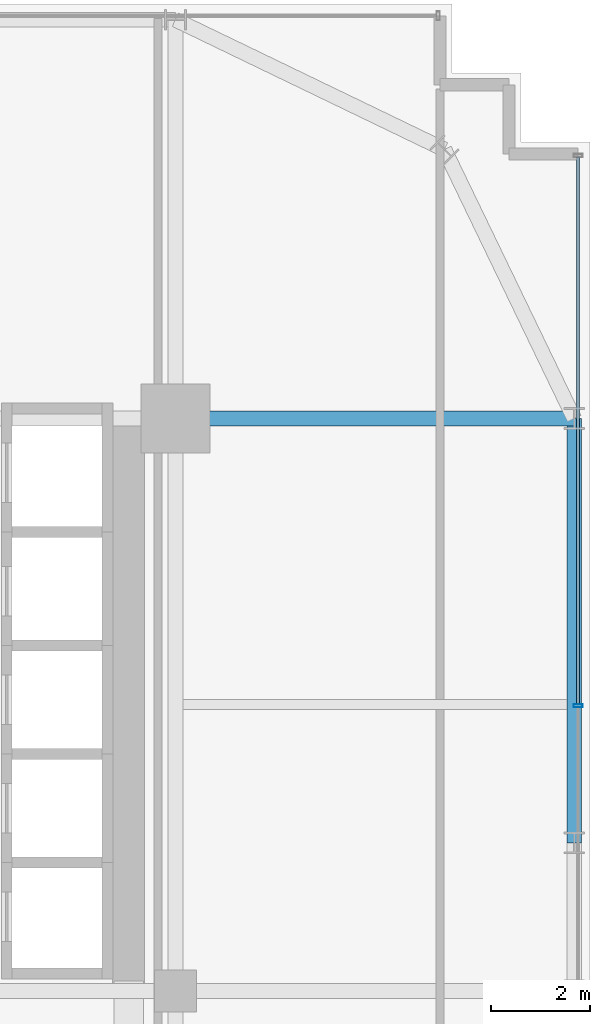
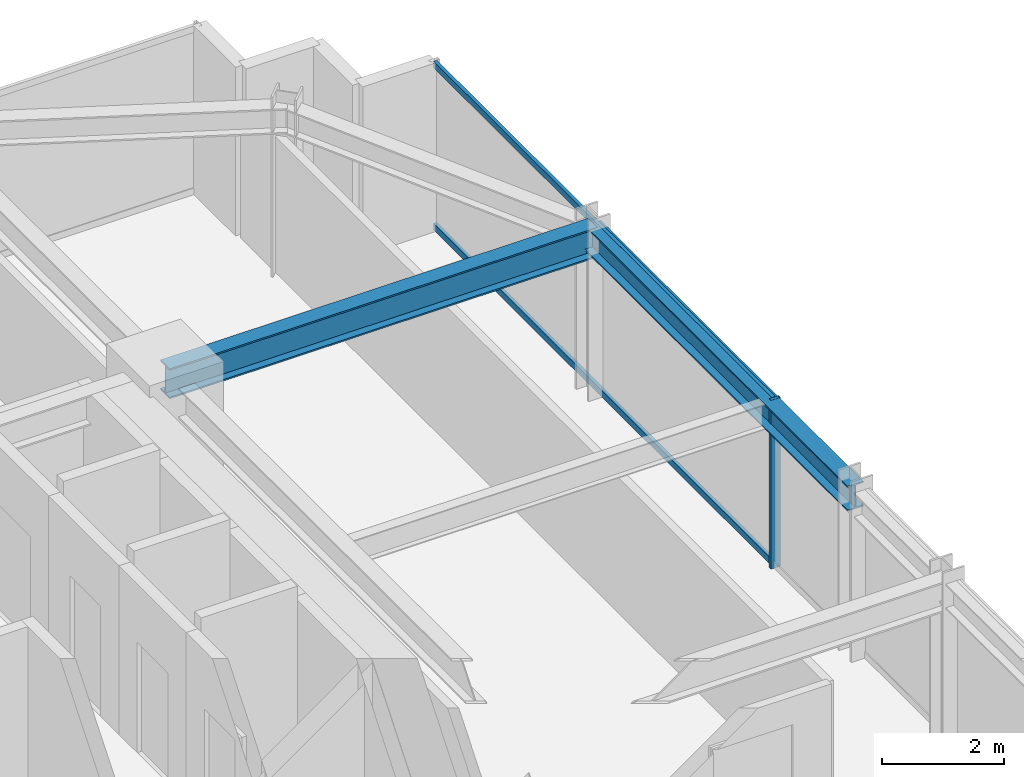
# One storey, part 26 of 37: 3 members, 2 beams, 1 element without a shape of its own.
"""IFC4 building model written with IfcOpenShell, lengths in metres."""

from ifc_helpers import new_model, si_unit, direction, frame, origin, origin_2d, place, context, subcontext, project, spatial, hollow_rectangle, i_section, extrude, source, transform, mapped, material, material_profile, profile_set, type_object, element, aggregate, save


model = new_model("IFC4")

# Units and contexts
model_context = context("Model", 3, precision=1e-05, world=origin(), true_north=direction((0.0, 1.0)))
body_context = subcontext(model_context, "Body", "Model", "MODEL_VIEW")
ifc_project = project(units=[si_unit("LENGTHUNIT", "METRE"), si_unit("AREAUNIT", "SQUARE_METRE"), si_unit("VOLUMEUNIT", "CUBIC_METRE"), si_unit("PLANEANGLEUNIT", "RADIAN"), si_unit("MASSUNIT", "GRAM", prefix="KILO")], contexts=[model_context])

# Site, building, storey
site_placement = place(None, origin())
site = spatial("IfcSite", under=ifc_project, at=site_placement, CompositionType="ELEMENT")
building_placement = place(site_placement, origin())
building = spatial("IfcBuilding", under=site, at=building_placement, Name="Nahalor Promenade Grand Hotel", CompositionType="ELEMENT")
storey_placement = place(building_placement, frame((0.0, 0.0, 36.050048828125)))
storey = spatial("IfcBuildingStorey", under=building, at=storey_placement, Name="L07", CompositionType="ELEMENT", Elevation=36.050048828125)

# Beams
ifc_material_1 = material(Name="Steel S355JR", Category="steel")
ifc_material_profile_1 = material_profile(ifc_material_1, i_section(OverallWidth=0.3, OverallDepth=0.5, WebThickness=0.0145, FlangeThickness=0.028, at=origin_2d()), Name="HEB 500")
ifc_profile_set_1 = profile_set([ifc_material_profile_1], Name="Steel S355JR")
beam_type_1 = type_object("IfcBeamType", Name="Beam-Spandrel-HEB500", PredefinedType="SPANDREL", material=ifc_profile_set_1)
shared_shape_1 = source(origin(), body_context, "Body", "SweptSolid", [
    extrude(i_section(OverallWidth=0.3, OverallDepth=0.5, WebThickness=0.0145, FlangeThickness=0.028, at=origin_2d()), origin(), (0.0, 0.0, 1.0), 8.60009765625),
])
beam_1_placement = place(storey_placement, frame((25.080078125, 8.39990234375, 3.119873046875), z_axis=(0.0, 1.0, 0.0), x_axis=(-1.0, 0.0, 0.0)))
element("IfcBeam", 1, at=beam_1_placement, inside=storey, type_object=beam_type_1, Name="BM-L07-SP-E-4", PredefinedType="SPANDREL", context=body_context, shape_type="MappedRepresentation", body=[
    mapped(shared_shape_1, transform((0.0, 0.0, 0.0), scale=1.0)),
])
ifc_material_profile_2 = material_profile(ifc_material_1, i_section(OverallWidth=0.3, OverallDepth=0.6, WebThickness=0.0155, FlangeThickness=0.03, at=origin_2d()), Name="HEB 600")
ifc_profile_set_2 = profile_set([ifc_material_profile_2], Name="Steel S355JR")
beam_type_2 = type_object("IfcBeamType", Name="Beam-Girder-HEB600", PredefinedType="BEAM", material=ifc_profile_set_2)
shared_shape_2 = source(origin(), body_context, "Body", "SweptSolid", [
    extrude(i_section(OverallWidth=0.3, OverallDepth=0.6, WebThickness=0.0155, FlangeThickness=0.03, at=origin_2d()), origin(), (0.0, 0.0, 1.0), 8.080078125),
])
beam_2_placement = place(storey_placement, frame((17.0, 17.0, 3.070068359375), z_axis=(1.0, 0.0, 0.0), x_axis=(0.0, 1.0, 0.0)))
element("IfcBeam", 2, at=beam_2_placement, inside=storey, type_object=beam_type_2, Name="BM-L07-GX-3-6", PredefinedType="BEAM", context=body_context, shape_type="MappedRepresentation", body=[
    mapped(shared_shape_2, transform((0.0, 0.0, 0.0), scale=1.0)),
])

# Curtain wall, members
ifc_material_2 = material(Name="Anodised Bronze Aluminium EN AW-6063 T6", Category="aluminium")
curtain_wall_type = type_object("IfcCurtainWallType", Name="CW2 Typical Hotel Flush Bronze Unitised Curtain Wall", PredefinedType="USERDEFINED", material=ifc_material_2)
curtain_wall_placement = place(storey_placement, origin())
curtain_wall = element("IfcCurtainWall", 3, at=curtain_wall_placement, inside=storey, type_object=curtain_wall_type, Name="L07 Curtain Wall CW-L07-E-1", ObjectType="UNITISED_CURTAIN_WALL", PredefinedType="USERDEFINED")
ifc_material_profile_3 = material_profile(ifc_material_2, hollow_rectangle(XDim=0.065, YDim=0.13, WallThickness=0.004, at=origin_2d()), Name="CWT 65x130x4")
ifc_profile_set_3 = profile_set([ifc_material_profile_3], Name="Anodised Bronze Aluminium EN AW-6063 T6")
member_type_1 = type_object("IfcMemberType", Name="CWT2 Typical Bronze Transom 65x130", PredefinedType="USERDEFINED", material=ifc_profile_set_3)
shared_shape_3 = source(origin(), body_context, "Body", "SweptSolid", [
    extrude(hollow_rectangle(XDim=0.065, YDim=0.13, WallThickness=0.004, at=origin_2d()), origin(), (0.0, 0.0, 1.0), 11.08251953125),
])
member_1_placement = place(storey_placement, frame((25.159912109375, 11.21240234375, 0.06494140625), z_axis=(0.0, 1.0, 0.0), x_axis=(-1.0, 0.0, 0.0)))
member_1 = element("IfcMember", 4, at=member_1_placement, type_object=member_type_1, Name="CW-L07-E-1 Transom 3-0", ObjectType="TRANSOM", PredefinedType="USERDEFINED", context=body_context, shape_type="MappedRepresentation", body=[
    mapped(shared_shape_3, transform((0.0, 0.0, 0.0), scale=1.0)),
])
member_2_placement = place(storey_placement, frame((25.159912109375, 11.21240234375, 3.304931640625), z_axis=(0.0, 1.0, 0.0), x_axis=(-1.0, 0.0, 0.0)))
member_2 = element("IfcMember", 5, at=member_2_placement, type_object=member_type_1, Name="CW-L07-E-1 Transom 3-1", ObjectType="TRANSOM", PredefinedType="USERDEFINED", context=body_context, shape_type="MappedRepresentation", body=[
    mapped(shared_shape_3, transform((0.0, 0.0, 0.0), scale=1.0)),
])
ifc_material_profile_4 = material_profile(ifc_material_2, hollow_rectangle(XDim=0.065, YDim=0.18, WallThickness=0.004, at=origin_2d()), Name="CWM 65x180x4")
ifc_profile_set_4 = profile_set([ifc_material_profile_4], Name="Anodised Bronze Aluminium EN AW-6063 T6")
member_type_2 = type_object("IfcMemberType", Name="CWM2 Typical Bronze Mullion 65x180", PredefinedType="MULLION", material=ifc_profile_set_4)
shared_shape_4 = source(origin(), body_context, "Body", "SweptSolid", [
    extrude(hollow_rectangle(XDim=0.065, YDim=0.18, WallThickness=0.004, at=origin_2d()), origin(), (0.0, 0.0, 1.0), 3.369873046875),
])
member_3_placement = place(storey_placement, frame((25.159912109375, 11.179931640625, 0.0), z_axis=(0.0, 0.0, 1.0), x_axis=(0.0, 1.0, 0.0)))
member_3 = element("IfcMember", 6, at=member_3_placement, type_object=member_type_2, Name="CW-L07-E-1 Mullion 3", PredefinedType="MULLION", context=body_context, shape_type="MappedRepresentation", body=[
    mapped(shared_shape_4, transform((0.0, 0.0, 0.0), scale=1.0)),
])
aggregate(curtain_wall, [member_3, member_1, member_2])

save(model, "model.ifc")
